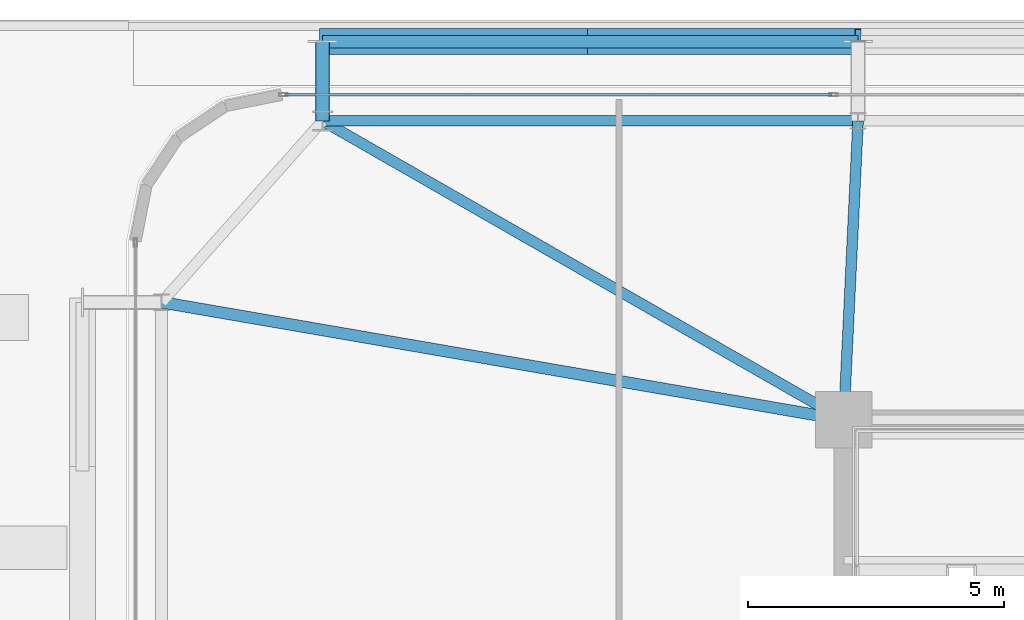
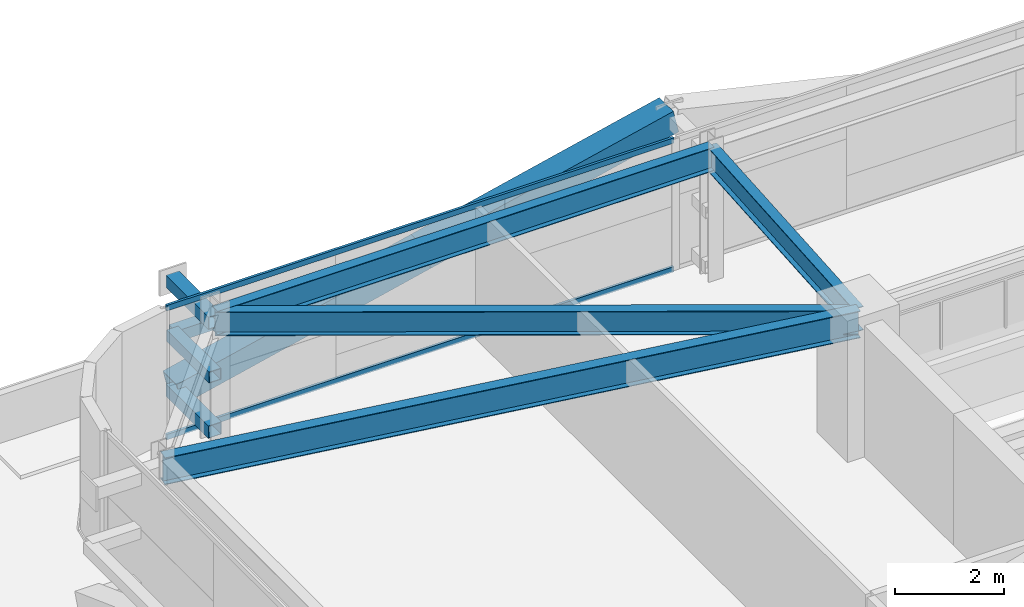
# One storey, part 26 of 56: 8 members, 4 beams, 1 element without a shape of its own.
"""IFC4 building model written with IfcOpenShell, lengths in metres."""

from ifc_helpers import new_model, si_unit, direction, frame, origin, origin_2d, place, context, subcontext, project, spatial, hollow_rectangle, i_section, extrude, source, transform, mapped, material, layer, layer_set, material_profile, profile_set, type_object, element, aggregate, save


model = new_model("IFC4")

# Units and contexts
model_context = context("Model", 3, precision=1e-05, world=origin(), true_north=direction((0.0, 1.0)))
body_context = subcontext(model_context, "Body", "Model", "MODEL_VIEW")
ifc_project = project(units=[si_unit("LENGTHUNIT", "METRE"), si_unit("AREAUNIT", "SQUARE_METRE"), si_unit("VOLUMEUNIT", "CUBIC_METRE"), si_unit("PLANEANGLEUNIT", "RADIAN"), si_unit("MASSUNIT", "GRAM", prefix="KILO")], contexts=[model_context])

# Site, building, storey
site_placement = place(None, origin())
site = spatial("IfcSite", under=ifc_project, at=site_placement, CompositionType="ELEMENT")
building_placement = place(site_placement, origin())
building = spatial("IfcBuilding", under=site, at=building_placement, Name="Taldren Reach Tower", CompositionType="ELEMENT")
storey_placement = place(building_placement, frame((0.0, 0.0, 16.800048828125)))
storey = spatial("IfcBuildingStorey", under=building, at=storey_placement, Name="L04", CompositionType="ELEMENT", Elevation=16.800048828125)

# Beams
ifc_material_1 = material(Name="Steel Gr 350 (350PLUS)", Category="steel")
ifc_material_profile_1 = material_profile(ifc_material_1, i_section(OverallWidth=0.208984375, OverallDepth=0.528076171875, WebThickness=0.009521484375, FlangeThickness=0.01318359375, at=origin_2d()), Name="530UB82.0")
ifc_profile_set_1 = profile_set([ifc_material_profile_1], Name="Steel Gr 350 (350PLUS)")
beam_type_1 = type_object("IfcBeamType", Name="SP-UB530B", PredefinedType="SPANDREL", material=ifc_profile_set_1)
shared_shape_1 = source(origin(), body_context, "Body", "SweptSolid", [
    extrude(i_section(OverallWidth=0.208984375, OverallDepth=0.528076171875, WebThickness=0.009521484375, FlangeThickness=0.01318359375, at=origin_2d()), origin(), (0.0, 0.0, 1.0), 10.47998046875),
])
beam_1_placement = place(storey_placement, frame((19.280029296875, 37.85009765625, 2.666015625), z_axis=(-1.0, 0.0, 0.0), x_axis=(0.0, -1.0, 0.0)))
element("IfcBeam", 1, at=beam_1_placement, inside=storey, type_object=beam_type_1, Name="Perimeter spandrel B1 N2-N1 L04", PredefinedType="SPANDREL", context=body_context, shape_type="MappedRepresentation", body=[
    mapped(shared_shape_1, transform((0.0, 0.0, 0.0), scale=1.0)),
])
ifc_material_profile_2 = material_profile(ifc_material_1, i_section(OverallWidth=0.22802734375, OverallDepth=0.60205078125, WebThickness=0.010498046875, FlangeThickness=0.014892578125, at=origin_2d()), Name="610UB101")
ifc_profile_set_2 = profile_set([ifc_material_profile_2], Name="Steel Gr 350 (350PLUS)")
beam_type_2 = type_object("IfcBeamType", Name="BM-UB610B", PredefinedType="BEAM", material=ifc_profile_set_2)
shared_shape_2 = source(origin(), body_context, "Body", "SweptSolid", [
    extrude(i_section(OverallWidth=0.22802734375, OverallDepth=0.60205078125, WebThickness=0.010498046875, FlangeThickness=0.014892578125, at=origin_2d()), origin(), (0.0, 0.0, 1.0), 13.546875),
])
beam_2_placement = place(storey_placement, frame((19.0, 32.0, 2.62890625), z_axis=(-0.985481022998, 0.169785609847, 0.0), x_axis=(-0.169785609847, -0.985481022998, 0.0)))
element("IfcBeam", 2, at=beam_2_placement, inside=storey, type_object=beam_type_2, Name="Primary floor girder B1-W3 L04", PredefinedType="BEAM", context=body_context, shape_type="MappedRepresentation", body=[
    mapped(shared_shape_2, transform((0.0, 0.0, 0.0), scale=1.0)),
])
ifc_material_profile_3 = material_profile(ifc_material_1, i_section(OverallWidth=0.208984375, OverallDepth=0.532958984375, WebThickness=0.01025390625, FlangeThickness=0.015625, at=origin_2d()), Name="530UB92.4")
ifc_profile_set_3 = profile_set([ifc_material_profile_3], Name="Steel Gr 350 (350PLUS)")
beam_type_3 = type_object("IfcBeamType", Name="BM-UB530A", PredefinedType="BEAM", material=ifc_profile_set_3)
shared_shape_3 = source(origin(), body_context, "Body", "SweptSolid", [
    extrude(i_section(OverallWidth=0.208984375, OverallDepth=0.532958984375, WebThickness=0.01025390625, FlangeThickness=0.015625, at=origin_2d()), origin(), (0.0, 0.0, 1.0), 11.758544921875),
])
beam_3_placement = place(storey_placement, frame((19.0, 32.0, 2.663330078125), z_axis=(-0.867452414141, 0.497520159593, 0.0), x_axis=(-0.497520159593, -0.867452414141, 0.0)))
element("IfcBeam", 3, at=beam_3_placement, inside=storey, type_object=beam_type_3, Name="Primary floor girder B1-N1 L04", PredefinedType="BEAM", context=body_context, shape_type="MappedRepresentation", body=[
    mapped(shared_shape_3, transform((0.0, 0.0, 0.0), scale=1.0)),
])
shared_shape_4 = source(origin(), body_context, "Body", "SweptSolid", [
    extrude(i_section(OverallWidth=0.208984375, OverallDepth=0.532958984375, WebThickness=0.01025390625, FlangeThickness=0.015625, at=origin_2d()), origin(), (0.0, 0.0, 1.0), 5.856689453125),
])
beam_4_placement = place(storey_placement, frame((19.0, 32.0, 2.663330078125), z_axis=(0.047812711672, 0.998856318297, 0.0), x_axis=(-0.998856318297, 0.047812711672, 0.0)))
element("IfcBeam", 4, at=beam_4_placement, inside=storey, type_object=beam_type_3, Name="Primary floor girder B1-N2 L04", PredefinedType="BEAM", context=body_context, shape_type="MappedRepresentation", body=[
    mapped(shared_shape_4, transform((0.0, 0.0, 0.0), scale=1.0)),
])

# Members
ifc_material_2 = material(Name="Steel Gr 450 (C450L0)", Category="steel")
ifc_material_profile_4 = material_profile(ifc_material_2, hollow_rectangle(XDim=0.27490234375, YDim=0.27490234375, WallThickness=0.00927734375, at=origin_2d()), Name="275x275x9.3SHS")
ifc_profile_set_4 = profile_set([ifc_material_profile_4], Name="Steel Gr 450 (C450L0)")
member_type_1 = type_object("IfcMemberType", Name="MB-TIE273", PredefinedType="STRUT", material=ifc_profile_set_4)
shared_shape_5 = source(origin(), body_context, "Body", "SweptSolid", [
    extrude(hollow_rectangle(XDim=0.27490234375, YDim=0.27490234375, WallThickness=0.00927734375, at=origin_2d()), origin(), (0.0, 0.0, 1.0), 1.5498046875),
])
for number, where, z_axis, x_axis, name in (
    (5, (8.800048828125, 37.85009765625, 2.64990234375), (0.0, 1.0, 0.0), (-1.0, 0.0, 0.0), "Exoskeleton diaphragm tie strut B1-N1 L04"),
    (6, (8.800048828125, 37.85009765625, 0.219970703125), (0.0, 1.0, 0.0), (-1.0, 0.0, 0.0), "Exoskeleton base diaphragm tie strut B1-N1 L04"),
):
    element("IfcMember", number, at=place(storey_placement, frame(where, z_axis=z_axis, x_axis=x_axis)), inside=storey, type_object=member_type_1, Name=name, PredefinedType="STRUT", context=body_context, shape_type="MappedRepresentation", body=[
        mapped(shared_shape_5, transform((0.0, 0.0, 0.0), scale=1.0)),
    ])
ifc_material_profile_5 = material_profile(ifc_material_2, hollow_rectangle(XDim=0.510009765625, YDim=0.510009765625, WallThickness=0.02001953125, at=origin_2d()), Name="510x510x20.0SHS")
ifc_profile_set_5 = profile_set([ifc_material_profile_5], Name="Steel Gr 450 (C450L0)")
member_type_2 = type_object("IfcMemberType", Name="MB-EXO508", PredefinedType="BRACE", material=ifc_profile_set_5)
shared_shape_6 = source(origin(), body_context, "Body", "SweptSolid", [
    extrude(hollow_rectangle(XDim=0.510009765625, YDim=0.510009765625, WallThickness=0.02001953125, at=origin_2d()), origin(), (0.0, 0.0, 1.0), 5.37890625),
])
for number, where, z_axis, x_axis, name in (
    (7, (8.800048828125, 39.39990234375, 0.219970703125), (0.97415197996, 0.0, 0.225893603143), (0.0, 1.0, 0.0), "Exoskeleton Diagrid Brace B1-N1 L04"),
    (8, (14.0400390625, 39.39990234375, 1.43505859375), (0.974161966843, 0.0, 0.225850531007), (0.0, 1.0, 0.0), "Exoskeleton Diagrid Brace B1-N1 L04"),
):
    element("IfcMember", number, at=place(storey_placement, frame(where, z_axis=z_axis, x_axis=x_axis)), inside=storey, type_object=member_type_2, Name=name, PredefinedType="BRACE", context=body_context, shape_type="MappedRepresentation", body=[
        mapped(shared_shape_6, transform((0.0, 0.0, 0.0), scale=1.0)),
    ])
ifc_material_3 = material(Name="Steel Gr 350 (C350L0)", Category="steel")
ifc_material_profile_6 = material_profile(ifc_material_3, hollow_rectangle(XDim=0.25, YDim=0.25, WallThickness=0.010009765625, at=origin_2d()), Name="250x250x10.0SHS")
ifc_profile_set_6 = profile_set([ifc_material_profile_6], Name="Steel Gr 350 (C350L0)")
member_type_3 = type_object("IfcMemberType", Name="MB-POST250", PredefinedType="POST", material=ifc_profile_set_6)
shared_shape_7 = source(origin(), body_context, "Body", "SweptSolid", [
    extrude(hollow_rectangle(XDim=0.25, YDim=0.25, WallThickness=0.010009765625, at=origin_2d()), origin(), (0.0, 0.0, 1.0), 10.47998046875),
])
member_1_placement = place(storey_placement, frame((8.800048828125, 39.39990234375, 1.43505859375), z_axis=(1.0, 0.0, 0.0), x_axis=(0.0, 1.0, 0.0)))
element("IfcMember", 9, at=member_1_placement, inside=storey, type_object=member_type_3, Name="Exoskeleton mid-height ring chord B1-N1 L04", PredefinedType="POST", context=body_context, shape_type="MappedRepresentation", body=[
    mapped(shared_shape_7, transform((0.0, 0.0, 0.0), scale=1.0)),
])
shared_shape_8 = source(origin(), body_context, "Body", "SweptSolid", [
    extrude(hollow_rectangle(XDim=0.25, YDim=0.25, WallThickness=0.010009765625, at=origin_2d()), origin(), (0.0, 0.0, 1.0), 1.5498046875),
])
member_2_placement = place(storey_placement, frame((8.800048828125, 37.85009765625, 1.43505859375), z_axis=(0.0, 1.0, 0.0), x_axis=(-1.0, 0.0, 0.0)))
element("IfcMember", 10, at=member_2_placement, inside=storey, type_object=member_type_3, Name="Exoskeleton mid-tier diaphragm tie B1-N1 L04", PredefinedType="POST", context=body_context, shape_type="MappedRepresentation", body=[
    mapped(shared_shape_8, transform((0.0, 0.0, 0.0), scale=1.0)),
])

# Curtain wall, members
ifc_material_4 = material(Name="Aluminium and Low-E Glass Unitised System", Category="aluminium")
ifc_layer = layer(ifc_material_4, 0.159912109375)
ifc_layer_set = layer_set([ifc_layer], Name="Aluminium and Low-E Glass Unitised System")
curtain_wall_type = type_object("IfcCurtainWallType", Name="CW-SYS-2", PredefinedType="NOTDEFINED", material=ifc_layer_set)
curtain_wall_placement = place(storey_placement, origin())
curtain_wall = element("IfcCurtainWall", 11, at=curtain_wall_placement, inside=storey, type_object=curtain_wall_type, Name="Unitised curtain wall CW-L04-N", PredefinedType="NOTDEFINED")
ifc_material_5 = material(Name="Anodised Aluminium 6063-T6", Category="aluminium")
ifc_material_profile_7 = material_profile(ifc_material_5, hollow_rectangle(XDim=0.054931640625, YDim=0.1201171875, WallThickness=0.0029296875, at=origin_2d()), Name="ALU-120x55x3RHS")
ifc_profile_set_7 = profile_set([ifc_material_profile_7], Name="Anodised Aluminium 6063-T6")
member_type_4 = type_object("IfcMemberType", Name="CW-TRN-135", PredefinedType="USERDEFINED", material=ifc_profile_set_7)
shared_shape_9 = source(origin(), body_context, "Body", "SweptSolid", [
    extrude(hollow_rectangle(XDim=0.054931640625, YDim=0.1201171875, WallThickness=0.0029296875, at=origin_2d()), origin(), (0.0, 0.0, 1.0), 10.70263671875),
])
member_3_placement = place(storey_placement, frame((18.767578125, 38.360107421875, 0.02734375), z_axis=(-1.0, 0.0, 0.0), x_axis=(0.0, -1.0, 0.0)))
member_3 = element("IfcMember", 12, at=member_3_placement, type_object=member_type_4, Name="CW-2 transom 5.1", ObjectType="TRANSOM", PredefinedType="USERDEFINED", context=body_context, shape_type="MappedRepresentation", body=[
    mapped(shared_shape_9, transform((0.0, 0.0, 0.0), scale=1.0)),
])
member_4_placement = place(storey_placement, frame((18.767578125, 38.360107421875, 2.90234375), z_axis=(-1.0, 0.0, 0.0), x_axis=(0.0, -1.0, 0.0)))
member_4 = element("IfcMember", 13, at=member_4_placement, type_object=member_type_4, Name="CW-2 transom 5.2", ObjectType="TRANSOM", PredefinedType="USERDEFINED", context=body_context, shape_type="MappedRepresentation", body=[
    mapped(shared_shape_9, transform((0.0, 0.0, 0.0), scale=1.0)),
])
aggregate(curtain_wall, [member_3, member_4])

save(model, "model.ifc")
